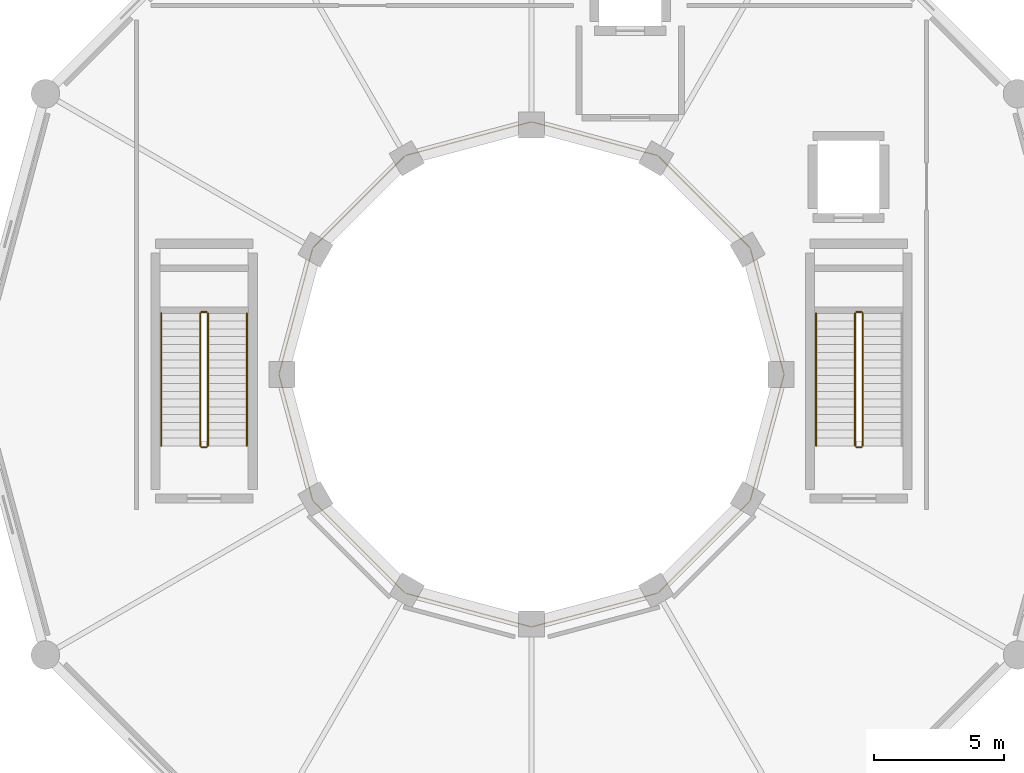
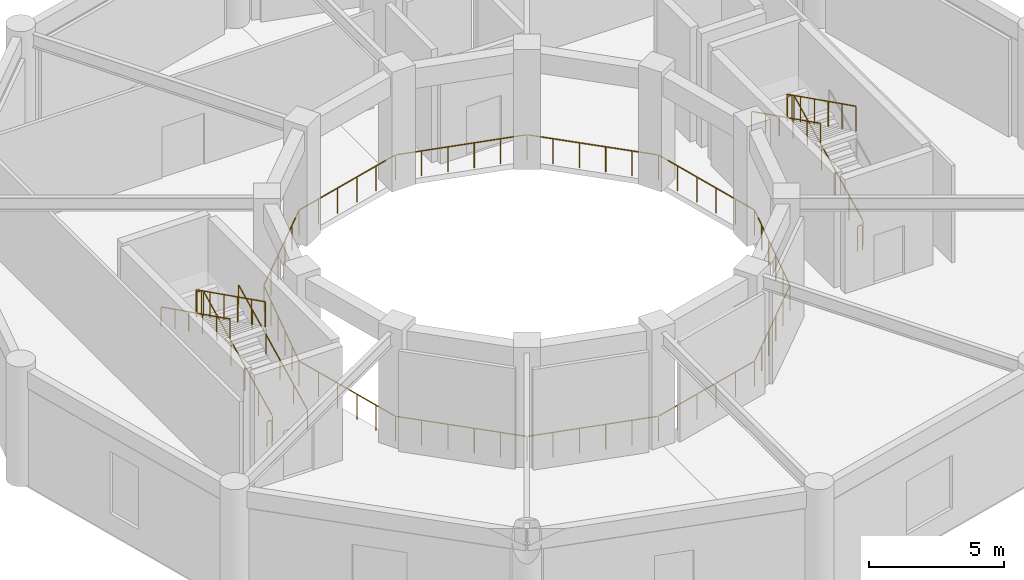
# One storey, part 82 of 86: 12 railings.
"""IFC4 building model written with IfcOpenShell, lengths in metres."""

from ifc_helpers import new_model, si_unit, direction, frame, origin, origin_2d, place, context, subcontext, project, spatial, circle, extrude, material, type_object, element, save


model = new_model("IFC4")

# Units and contexts
model_context = context("Model", 3, precision=1e-05, world=origin(), true_north=direction((0.0, 1.0)))
body_context = subcontext(model_context, "Body", "Model", "MODEL_VIEW")
ifc_project = project(units=[si_unit("LENGTHUNIT", "METRE"), si_unit("AREAUNIT", "SQUARE_METRE"), si_unit("VOLUMEUNIT", "CUBIC_METRE"), si_unit("PLANEANGLEUNIT", "RADIAN"), si_unit("MASSUNIT", "GRAM", prefix="KILO")], contexts=[model_context])

# Site, building, storey
site_placement = place(None, origin())
site = spatial("IfcSite", under=ifc_project, at=site_placement, CompositionType="ELEMENT")
building_placement = place(site_placement, origin())
building = spatial("IfcBuilding", under=site, at=building_placement, Name="Haizhuo Lancet Aquarium", CompositionType="ELEMENT")
storey_placement = place(building_placement, frame((0.0, 0.0, 16.199951171875)))
storey = spatial("IfcBuildingStorey", under=building, at=storey_placement, Name="L03", CompositionType="ELEMENT", Elevation=16.199951171875)

# Railings
ifc_material = material(Name="Steel S355", Category="steel")
railing_type_1 = type_object("IfcRailingType", Name="RL-GRD-1150", PredefinedType="GUARDRAIL", material=ifc_material)
railing_1_placement = place(storey_placement, frame((-12.449951171875, -2.75, 0.150146484375)))
element("IfcRailing", 1, at=railing_1_placement, inside=storey, type_object=railing_type_1, Name="L03 ST-01 stair guard 1", PredefinedType="GUARDRAIL", context=body_context, shape_type="SweptSolid", body=[
    extrude(circle(Radius=0.02392578125, at=origin_2d()), frame((0.0, 0.02685546875, 1.13916015625), z_axis=(0.0, 0.89444431709, 0.44717934168), x_axis=(-1.0, 0.0, 0.0)), (0.0, 0.0, 1.0), 5.64208984375),
    extrude(circle(Radius=0.02099609375, at=origin_2d()), origin(), (0.0, 0.0, 1.0), 1.097900390625),
    extrude(circle(Radius=0.02099609375, at=origin_2d()), frame((0.0, 1.02001953125, 0.510009765625)), (0.0, 0.0, 1.0), 1.097900390625),
    extrude(circle(Radius=0.02099609375, at=origin_2d()), frame((0.0, 2.0400390625, 1.02001953125)), (0.0, 0.0, 1.0), 1.097900390625),
    extrude(circle(Radius=0.02099609375, at=origin_2d()), frame((0.0, 3.06005859375, 1.52978515625)), (0.0, 0.0, 1.0), 1.097900390625),
    extrude(circle(Radius=0.02099609375, at=origin_2d()), frame((0.0, 4.080078125, 2.039794921875)), (0.0, 0.0, 1.0), 1.097900390625),
    extrude(circle(Radius=0.02099609375, at=origin_2d()), frame((0.0, 5.10009765625, 2.5498046875)), (0.0, 0.0, 1.0), 1.097900390625),
])
railing_2_placement = place(storey_placement, frame((-12.5, 2.39990234375, 2.699951171875)))
element("IfcRailing", 2, at=railing_2_placement, inside=storey, type_object=railing_type_1, Name="L03 ST-01 stair guard 2", PredefinedType="GUARDRAIL", context=body_context, shape_type="SweptSolid", body=[
    extrude(circle(Radius=0.02392578125, at=origin_2d()), frame((-0.030029296875, 0.0, 1.1259765625), z_axis=(-1.0, 0.0, 0.0), x_axis=(0.0, -1.0, 0.0)), (0.0, 0.0, 1.0), 0.139892578125),
    extrude(circle(Radius=0.02099609375, at=origin_2d()), origin(), (0.0, 0.0, 1.0), 1.097900390625),
    extrude(circle(Radius=0.02099609375, at=origin_2d()), frame((-0.199951171875, 0.0, 0.0)), (0.0, 0.0, 1.0), 1.097900390625),
])
railing_3_placement = place(storey_placement, frame((-12.75, 2.35009765625, 2.85009765625)))
element("IfcRailing", 3, at=railing_3_placement, inside=storey, type_object=railing_type_1, Name="L03 ST-01 stair guard 3", PredefinedType="GUARDRAIL", context=body_context, shape_type="SweptSolid", body=[
    extrude(circle(Radius=0.02392578125, at=origin_2d()), frame((0.0, -0.02685546875, 1.13916015625), z_axis=(0.0, -0.894427191, 0.4472135955), x_axis=(1.0, 0.0, 0.0)), (0.0, 0.0, 1.0), 5.64208984375),
    extrude(circle(Radius=0.02099609375, at=origin_2d()), origin(), (0.0, 0.0, 1.0), 1.097900390625),
    extrude(circle(Radius=0.02099609375, at=origin_2d()), frame((0.0, -1.02001953125, 0.510009765625)), (0.0, 0.0, 1.0), 1.097900390625),
    extrude(circle(Radius=0.02099609375, at=origin_2d()), frame((0.0, -2.0400390625, 1.02001953125)), (0.0, 0.0, 1.0), 1.097900390625),
    extrude(circle(Radius=0.02099609375, at=origin_2d()), frame((0.0, -3.06005859375, 1.530029296875)), (0.0, 0.0, 1.0), 1.097900390625),
    extrude(circle(Radius=0.02099609375, at=origin_2d()), frame((0.0, -4.080078125, 2.0400390625)), (0.0, 0.0, 1.0), 1.097900390625),
    extrude(circle(Radius=0.02099609375, at=origin_2d()), frame((0.0, -5.10009765625, 2.550048828125)), (0.0, 0.0, 1.0), 1.097900390625),
])
railing_4_placement = place(storey_placement, frame((-12.5, -2.800048828125, 0.0)))
element("IfcRailing", 4, at=railing_4_placement, inside=storey, type_object=railing_type_1, Name="L03 ST-01 stair guard 4", PredefinedType="GUARDRAIL", context=body_context, shape_type="SweptSolid", body=[
    extrude(circle(Radius=0.02392578125, at=origin_2d()), frame((-0.030029296875, 0.0, 1.1259765625), z_axis=(-1.0, 0.0, 0.0), x_axis=(0.0, -1.0, 0.0)), (0.0, 0.0, 1.0), 0.139892578125),
    extrude(circle(Radius=0.02099609375, at=origin_2d()), origin(), (0.0, 0.0, 1.0), 1.097900390625),
    extrude(circle(Radius=0.02099609375, at=origin_2d()), frame((-0.199951171875, 0.0, 0.0)), (0.0, 0.0, 1.0), 1.097900390625),
])
railing_5_placement = place(storey_placement, frame((12.75, -2.75, 0.150146484375)))
element("IfcRailing", 5, at=railing_5_placement, inside=storey, type_object=railing_type_1, Name="L03 ST-02 stair guard 1", PredefinedType="GUARDRAIL", context=body_context, shape_type="SweptSolid", body=[
    extrude(circle(Radius=0.02392578125, at=origin_2d()), frame((0.0, 0.02685546875, 1.13916015625), z_axis=(0.0, 0.89444431709, 0.44717934168), x_axis=(-1.0, 0.0, 0.0)), (0.0, 0.0, 1.0), 5.64208984375),
    extrude(circle(Radius=0.02099609375, at=origin_2d()), origin(), (0.0, 0.0, 1.0), 1.097900390625),
    extrude(circle(Radius=0.02099609375, at=origin_2d()), frame((0.0, 1.02001953125, 0.510009765625)), (0.0, 0.0, 1.0), 1.097900390625),
    extrude(circle(Radius=0.02099609375, at=origin_2d()), frame((0.0, 2.0400390625, 1.02001953125)), (0.0, 0.0, 1.0), 1.097900390625),
    extrude(circle(Radius=0.02099609375, at=origin_2d()), frame((0.0, 3.06005859375, 1.52978515625)), (0.0, 0.0, 1.0), 1.097900390625),
    extrude(circle(Radius=0.02099609375, at=origin_2d()), frame((0.0, 4.080078125, 2.039794921875)), (0.0, 0.0, 1.0), 1.097900390625),
    extrude(circle(Radius=0.02099609375, at=origin_2d()), frame((0.0, 5.10009765625, 2.5498046875)), (0.0, 0.0, 1.0), 1.097900390625),
])
railing_6_placement = place(storey_placement, frame((12.699951171875, 2.39990234375, 2.699951171875)))
element("IfcRailing", 6, at=railing_6_placement, inside=storey, type_object=railing_type_1, Name="L03 ST-02 stair guard 2", PredefinedType="GUARDRAIL", context=body_context, shape_type="SweptSolid", body=[
    extrude(circle(Radius=0.02392578125, at=origin_2d()), frame((-0.030029296875, 0.0, 1.1259765625), z_axis=(-1.0, 0.0, 0.0), x_axis=(0.0, -1.0, 0.0)), (0.0, 0.0, 1.0), 0.139892578125),
    extrude(circle(Radius=0.02099609375, at=origin_2d()), origin(), (0.0, 0.0, 1.0), 1.097900390625),
    extrude(circle(Radius=0.02099609375, at=origin_2d()), frame((-0.199951171875, 0.0, 0.0)), (0.0, 0.0, 1.0), 1.097900390625),
])
railing_7_placement = place(storey_placement, frame((12.449951171875, 2.35009765625, 2.85009765625)))
element("IfcRailing", 7, at=railing_7_placement, inside=storey, type_object=railing_type_1, Name="L03 ST-02 stair guard 3", PredefinedType="GUARDRAIL", context=body_context, shape_type="SweptSolid", body=[
    extrude(circle(Radius=0.02392578125, at=origin_2d()), frame((0.0, -0.02685546875, 1.13916015625), z_axis=(0.0, -0.894427191, 0.4472135955), x_axis=(1.0, 0.0, 0.0)), (0.0, 0.0, 1.0), 5.64208984375),
    extrude(circle(Radius=0.02099609375, at=origin_2d()), origin(), (0.0, 0.0, 1.0), 1.097900390625),
    extrude(circle(Radius=0.02099609375, at=origin_2d()), frame((0.0, -1.02001953125, 0.510009765625)), (0.0, 0.0, 1.0), 1.097900390625),
    extrude(circle(Radius=0.02099609375, at=origin_2d()), frame((0.0, -2.0400390625, 1.02001953125)), (0.0, 0.0, 1.0), 1.097900390625),
    extrude(circle(Radius=0.02099609375, at=origin_2d()), frame((0.0, -3.06005859375, 1.530029296875)), (0.0, 0.0, 1.0), 1.097900390625),
    extrude(circle(Radius=0.02099609375, at=origin_2d()), frame((0.0, -4.080078125, 2.0400390625)), (0.0, 0.0, 1.0), 1.097900390625),
    extrude(circle(Radius=0.02099609375, at=origin_2d()), frame((0.0, -5.10009765625, 2.550048828125)), (0.0, 0.0, 1.0), 1.097900390625),
])
railing_8_placement = place(storey_placement, frame((12.699951171875, -2.800048828125, 0.0)))
element("IfcRailing", 8, at=railing_8_placement, inside=storey, type_object=railing_type_1, Name="L03 ST-02 stair guard 4", PredefinedType="GUARDRAIL", context=body_context, shape_type="SweptSolid", body=[
    extrude(circle(Radius=0.02392578125, at=origin_2d()), frame((-0.030029296875, 0.0, 1.1259765625), z_axis=(-1.0, 0.0, 0.0), x_axis=(0.0, -1.0, 0.0)), (0.0, 0.0, 1.0), 0.139892578125),
    extrude(circle(Radius=0.02099609375, at=origin_2d()), origin(), (0.0, 0.0, 1.0), 1.097900390625),
    extrude(circle(Radius=0.02099609375, at=origin_2d()), frame((-0.199951171875, 0.0, 0.0)), (0.0, 0.0, 1.0), 1.097900390625),
])
railing_9_placement = place(storey_placement, frame((9.719970703125, 0.0, 0.0)))
element("IfcRailing", 9, at=railing_9_placement, inside=storey, type_object=railing_type_1, Name="L03 Ocean Tank overlook guardrail", PredefinedType="GUARDRAIL", context=body_context, shape_type="SweptSolid", body=[
    extrude(circle(Radius=0.02392578125, at=origin_2d()), frame((-0.0078125, 0.029052734375, 1.1259765625), z_axis=(-0.258770849216, 0.965938739049, 0.0), x_axis=(-0.965938739049, -0.258770849216, 0.0)), (0.0, 0.0, 1.0), 4.971435546875),
    extrude(circle(Radius=0.02392578125, at=origin_2d()), frame((-1.3232421875, 4.88134765625, 1.1259765625), z_axis=(-0.707106781187, 0.707106781187, 0.0), x_axis=(-0.707106781187, -0.707106781187, 0.0)), (0.0, 0.0, 1.0), 4.9716796875),
    extrude(circle(Radius=0.02392578125, at=origin_2d()), frame((-4.888916015625, 8.42578125, 1.1259765625), z_axis=(-0.965938739049, 0.258770849216, 0.0), x_axis=(-0.258770849216, -0.965938739049, 0.0)), (0.0, 0.0, 1.0), 4.971435546875),
    extrude(circle(Radius=0.02392578125, at=origin_2d()), frame((-9.7490234375, 9.712158203125, 1.1259765625), z_axis=(-0.965938739049, -0.258770849216, 0.0), x_axis=(0.258770849216, -0.965938739049, 0.0)), (0.0, 0.0, 1.0), 4.971435546875),
    extrude(circle(Radius=0.02392578125, at=origin_2d()), frame((-14.601318359375, 8.396728515625, 1.1259765625), z_axis=(-0.707106781187, -0.707106781187, 0.0), x_axis=(0.707106781187, -0.707106781187, 0.0)), (0.0, 0.0, 1.0), 4.9716796875),
    extrude(circle(Radius=0.02392578125, at=origin_2d()), frame((-18.145751953125, 4.8310546875, 1.1259765625), z_axis=(-0.258770849216, -0.965938739049, 0.0), x_axis=(0.965938739049, -0.258770849216, 0.0)), (0.0, 0.0, 1.0), 4.971435546875),
    extrude(circle(Radius=0.02392578125, at=origin_2d()), frame((-19.43212890625, -0.029052734375, 1.1259765625), z_axis=(0.258770849216, -0.965938739049, 0.0), x_axis=(0.965938739049, 0.258770849216, 0.0)), (0.0, 0.0, 1.0), 4.971435546875),
    extrude(circle(Radius=0.02392578125, at=origin_2d()), frame((-18.11669921875, -4.88134765625, 1.1259765625), z_axis=(0.707106781187, -0.707106781187, 0.0), x_axis=(0.707106781187, 0.707106781187, 0.0)), (0.0, 0.0, 1.0), 4.9716796875),
    extrude(circle(Radius=0.02392578125, at=origin_2d()), frame((-14.551025390625, -8.42578125, 1.1259765625), z_axis=(0.965938739049, -0.258770849216, 0.0), x_axis=(0.258770849216, 0.965938739049, 0.0)), (0.0, 0.0, 1.0), 4.971435546875),
    extrude(circle(Radius=0.02392578125, at=origin_2d()), frame((-9.69091796875, -9.712158203125, 1.1259765625), z_axis=(0.965938739049, 0.258770849216, 0.0), x_axis=(-0.258770849216, 0.965938739049, 0.0)), (0.0, 0.0, 1.0), 4.971435546875),
    extrude(circle(Radius=0.02392578125, at=origin_2d()), frame((-4.838623046875, -8.396728515625, 1.1259765625), z_axis=(0.707106781187, 0.707106781187, 0.0), x_axis=(-0.707106781187, 0.707106781187, 0.0)), (0.0, 0.0, 1.0), 4.9716796875),
    extrude(circle(Radius=0.02392578125, at=origin_2d()), frame((-1.294189453125, -4.8310546875, 1.1259765625), z_axis=(0.258770849216, 0.965938739049, 0.0), x_axis=(-0.965938739049, 0.258770849216, 0.0)), (0.0, 0.0, 1.0), 4.971435546875),
    extrude(circle(Radius=0.02099609375, at=origin_2d()), origin(), (0.0, 0.0, 1.0), 1.097900390625),
    extrude(circle(Radius=0.02099609375, at=origin_2d()), frame((-0.260498046875, 0.971923828125, 0.0)), (0.0, 0.0, 1.0), 1.097900390625),
    extrude(circle(Radius=0.02099609375, at=origin_2d()), frame((-0.520751953125, 1.944091796875, 0.0)), (0.0, 0.0, 1.0), 1.097900390625),
    extrude(circle(Radius=0.02099609375, at=origin_2d()), frame((-0.78125, 2.916015625, 0.0)), (0.0, 0.0, 1.0), 1.097900390625),
    extrude(circle(Radius=0.02099609375, at=origin_2d()), frame((-1.04150390625, 3.88818359375, 0.0)), (0.0, 0.0, 1.0), 1.097900390625),
    extrude(circle(Radius=0.02099609375, at=origin_2d()), frame((-1.302001953125, 4.860107421875, 0.0)), (0.0, 0.0, 1.0), 1.097900390625),
    extrude(circle(Radius=0.02099609375, at=origin_2d()), frame((-2.013671875, 5.57177734375, 0.0)), (0.0, 0.0, 1.0), 1.097900390625),
    extrude(circle(Radius=0.02099609375, at=origin_2d()), frame((-2.72509765625, 6.283203125, 0.0)), (0.0, 0.0, 1.0), 1.097900390625),
    extrude(circle(Radius=0.02099609375, at=origin_2d()), frame((-3.436767578125, 6.994873046875, 0.0)), (0.0, 0.0, 1.0), 1.097900390625),
    extrude(circle(Radius=0.02099609375, at=origin_2d()), frame((-4.148193359375, 7.706298828125, 0.0)), (0.0, 0.0, 1.0), 1.097900390625),
    extrude(circle(Radius=0.02099609375, at=origin_2d()), frame((-4.85986328125, 8.41796875, 0.0)), (0.0, 0.0, 1.0), 1.097900390625),
    extrude(circle(Radius=0.02099609375, at=origin_2d()), frame((-5.831787109375, 8.678466796875, 0.0)), (0.0, 0.0, 1.0), 1.097900390625),
    extrude(circle(Radius=0.02099609375, at=origin_2d()), frame((-6.803955078125, 8.938720703125, 0.0)), (0.0, 0.0, 1.0), 1.097900390625),
    extrude(circle(Radius=0.02099609375, at=origin_2d()), frame((-7.77587890625, 9.19921875, 0.0)), (0.0, 0.0, 1.0), 1.097900390625),
    extrude(circle(Radius=0.02099609375, at=origin_2d()), frame((-8.748046875, 9.45947265625, 0.0)), (0.0, 0.0, 1.0), 1.097900390625),
    extrude(circle(Radius=0.02099609375, at=origin_2d()), frame((-9.719970703125, 9.719970703125, 0.0)), (0.0, 0.0, 1.0), 1.097900390625),
    extrude(circle(Radius=0.02099609375, at=origin_2d()), frame((-10.69189453125, 9.45947265625, 0.0)), (0.0, 0.0, 1.0), 1.097900390625),
    extrude(circle(Radius=0.02099609375, at=origin_2d()), frame((-11.6640625, 9.19921875, 0.0)), (0.0, 0.0, 1.0), 1.097900390625),
    extrude(circle(Radius=0.02099609375, at=origin_2d()), frame((-12.635986328125, 8.938720703125, 0.0)), (0.0, 0.0, 1.0), 1.097900390625),
    extrude(circle(Radius=0.02099609375, at=origin_2d()), frame((-13.608154296875, 8.678466796875, 0.0)), (0.0, 0.0, 1.0), 1.097900390625),
    extrude(circle(Radius=0.02099609375, at=origin_2d()), frame((-14.580078125, 8.41796875, 0.0)), (0.0, 0.0, 1.0), 1.097900390625),
    extrude(circle(Radius=0.02099609375, at=origin_2d()), frame((-15.291748046875, 7.706298828125, 0.0)), (0.0, 0.0, 1.0), 1.097900390625),
    extrude(circle(Radius=0.02099609375, at=origin_2d()), frame((-16.003173828125, 6.994873046875, 0.0)), (0.0, 0.0, 1.0), 1.097900390625),
    extrude(circle(Radius=0.02099609375, at=origin_2d()), frame((-16.71484375, 6.283203125, 0.0)), (0.0, 0.0, 1.0), 1.097900390625),
    extrude(circle(Radius=0.02099609375, at=origin_2d()), frame((-17.42626953125, 5.57177734375, 0.0)), (0.0, 0.0, 1.0), 1.097900390625),
    extrude(circle(Radius=0.02099609375, at=origin_2d()), frame((-18.137939453125, 4.860107421875, 0.0)), (0.0, 0.0, 1.0), 1.097900390625),
    extrude(circle(Radius=0.02099609375, at=origin_2d()), frame((-18.3984375, 3.88818359375, 0.0)), (0.0, 0.0, 1.0), 1.097900390625),
    extrude(circle(Radius=0.02099609375, at=origin_2d()), frame((-18.65869140625, 2.916015625, 0.0)), (0.0, 0.0, 1.0), 1.097900390625),
    extrude(circle(Radius=0.02099609375, at=origin_2d()), frame((-18.919189453125, 1.944091796875, 0.0)), (0.0, 0.0, 1.0), 1.097900390625),
    extrude(circle(Radius=0.02099609375, at=origin_2d()), frame((-19.179443359375, 0.971923828125, 0.0)), (0.0, 0.0, 1.0), 1.097900390625),
    extrude(circle(Radius=0.02099609375, at=origin_2d()), frame((-19.43994140625, 0.0, 0.0)), (0.0, 0.0, 1.0), 1.097900390625),
    extrude(circle(Radius=0.02099609375, at=origin_2d()), frame((-19.179443359375, -0.971923828125, 0.0)), (0.0, 0.0, 1.0), 1.097900390625),
    extrude(circle(Radius=0.02099609375, at=origin_2d()), frame((-18.919189453125, -1.944091796875, 0.0)), (0.0, 0.0, 1.0), 1.097900390625),
    extrude(circle(Radius=0.02099609375, at=origin_2d()), frame((-18.65869140625, -2.916015625, 0.0)), (0.0, 0.0, 1.0), 1.097900390625),
    extrude(circle(Radius=0.02099609375, at=origin_2d()), frame((-18.3984375, -3.88818359375, 0.0)), (0.0, 0.0, 1.0), 1.097900390625),
    extrude(circle(Radius=0.02099609375, at=origin_2d()), frame((-18.137939453125, -4.860107421875, 0.0)), (0.0, 0.0, 1.0), 1.097900390625),
    extrude(circle(Radius=0.02099609375, at=origin_2d()), frame((-17.42626953125, -5.57177734375, 0.0)), (0.0, 0.0, 1.0), 1.097900390625),
    extrude(circle(Radius=0.02099609375, at=origin_2d()), frame((-16.71484375, -6.283203125, 0.0)), (0.0, 0.0, 1.0), 1.097900390625),
    extrude(circle(Radius=0.02099609375, at=origin_2d()), frame((-16.003173828125, -6.994873046875, 0.0)), (0.0, 0.0, 1.0), 1.097900390625),
    extrude(circle(Radius=0.02099609375, at=origin_2d()), frame((-15.291748046875, -7.706298828125, 0.0)), (0.0, 0.0, 1.0), 1.097900390625),
    extrude(circle(Radius=0.02099609375, at=origin_2d()), frame((-14.580078125, -8.41796875, 0.0)), (0.0, 0.0, 1.0), 1.097900390625),
    extrude(circle(Radius=0.02099609375, at=origin_2d()), frame((-13.608154296875, -8.678466796875, 0.0)), (0.0, 0.0, 1.0), 1.097900390625),
    extrude(circle(Radius=0.02099609375, at=origin_2d()), frame((-12.635986328125, -8.938720703125, 0.0)), (0.0, 0.0, 1.0), 1.097900390625),
    extrude(circle(Radius=0.02099609375, at=origin_2d()), frame((-11.6640625, -9.19921875, 0.0)), (0.0, 0.0, 1.0), 1.097900390625),
    extrude(circle(Radius=0.02099609375, at=origin_2d()), frame((-10.69189453125, -9.45947265625, 0.0)), (0.0, 0.0, 1.0), 1.097900390625),
    extrude(circle(Radius=0.02099609375, at=origin_2d()), frame((-9.719970703125, -9.719970703125, 0.0)), (0.0, 0.0, 1.0), 1.097900390625),
    extrude(circle(Radius=0.02099609375, at=origin_2d()), frame((-8.748046875, -9.45947265625, 0.0)), (0.0, 0.0, 1.0), 1.097900390625),
    extrude(circle(Radius=0.02099609375, at=origin_2d()), frame((-7.77587890625, -9.19921875, 0.0)), (0.0, 0.0, 1.0), 1.097900390625),
    extrude(circle(Radius=0.02099609375, at=origin_2d()), frame((-6.803955078125, -8.938720703125, 0.0)), (0.0, 0.0, 1.0), 1.097900390625),
    extrude(circle(Radius=0.02099609375, at=origin_2d()), frame((-5.831787109375, -8.678466796875, 0.0)), (0.0, 0.0, 1.0), 1.097900390625),
    extrude(circle(Radius=0.02099609375, at=origin_2d()), frame((-4.85986328125, -8.41796875, 0.0)), (0.0, 0.0, 1.0), 1.097900390625),
    extrude(circle(Radius=0.02099609375, at=origin_2d()), frame((-4.148193359375, -7.706298828125, 0.0)), (0.0, 0.0, 1.0), 1.097900390625),
    extrude(circle(Radius=0.02099609375, at=origin_2d()), frame((-3.436767578125, -6.994873046875, 0.0)), (0.0, 0.0, 1.0), 1.097900390625),
    extrude(circle(Radius=0.02099609375, at=origin_2d()), frame((-2.72509765625, -6.283203125, 0.0)), (0.0, 0.0, 1.0), 1.097900390625),
    extrude(circle(Radius=0.02099609375, at=origin_2d()), frame((-2.013671875, -5.57177734375, 0.0)), (0.0, 0.0, 1.0), 1.097900390625),
    extrude(circle(Radius=0.02099609375, at=origin_2d()), frame((-1.302001953125, -4.860107421875, 0.0)), (0.0, 0.0, 1.0), 1.097900390625),
    extrude(circle(Radius=0.02099609375, at=origin_2d()), frame((-1.04150390625, -3.88818359375, 0.0)), (0.0, 0.0, 1.0), 1.097900390625),
    extrude(circle(Radius=0.02099609375, at=origin_2d()), frame((-0.78125, -2.916015625, 0.0)), (0.0, 0.0, 1.0), 1.097900390625),
    extrude(circle(Radius=0.02099609375, at=origin_2d()), frame((-0.520751953125, -1.944091796875, 0.0)), (0.0, 0.0, 1.0), 1.097900390625),
    extrude(circle(Radius=0.02099609375, at=origin_2d()), frame((-0.260498046875, -0.971923828125, 0.0)), (0.0, 0.0, 1.0), 1.097900390625),
])
railing_type_2 = type_object("IfcRailingType", Name="RL-HDR-900", PredefinedType="HANDRAIL", material=ifc_material)
railing_10_placement = place(storey_placement, frame((-10.949951171875, -2.75, 0.150146484375)))
element("IfcRailing", 10, at=railing_10_placement, inside=storey, type_object=railing_type_2, Name="L03 ST-01 pitch handrail 1", PredefinedType="HANDRAIL", context=body_context, shape_type="SweptSolid", body=[
    extrude(circle(Radius=0.02392578125, at=origin_2d()), frame((0.0, 0.02685546875, 0.88916015625), z_axis=(0.0, 0.89444431709, 0.44717934168), x_axis=(-1.0, 0.0, 0.0)), (0.0, 0.0, 1.0), 5.64208984375),
    extrude(circle(Radius=0.02099609375, at=origin_2d()), origin(), (0.0, 0.0, 1.0), 0.847900390625),
    extrude(circle(Radius=0.02099609375, at=origin_2d()), frame((0.0, 1.02001953125, 0.510009765625)), (0.0, 0.0, 1.0), 0.847900390625),
    extrude(circle(Radius=0.02099609375, at=origin_2d()), frame((0.0, 2.0400390625, 1.02001953125)), (0.0, 0.0, 1.0), 0.847900390625),
    extrude(circle(Radius=0.02099609375, at=origin_2d()), frame((0.0, 3.06005859375, 1.52978515625)), (0.0, 0.0, 1.0), 0.847900390625),
    extrude(circle(Radius=0.02099609375, at=origin_2d()), frame((0.0, 4.080078125, 2.039794921875)), (0.0, 0.0, 1.0), 0.847900390625),
    extrude(circle(Radius=0.02099609375, at=origin_2d()), frame((0.0, 5.10009765625, 2.5498046875)), (0.0, 0.0, 1.0), 0.847900390625),
])
for number, where, name in (
    (11, (-14.25, 2.35009765625, 2.85009765625), "L03 ST-01 pitch handrail 2"),
    (12, (10.949951171875, 2.35009765625, 2.85009765625), "L03 ST-02 pitch handrail 2"),
):
    element("IfcRailing", number, at=place(storey_placement, frame(where)), inside=storey, type_object=railing_type_2, Name=name, PredefinedType="HANDRAIL", context=body_context, shape_type="SweptSolid", body=[
        extrude(circle(Radius=0.02392578125, at=origin_2d()), frame((0.0, -0.02685546875, 0.88916015625), z_axis=(0.0, -0.894427191, 0.4472135955), x_axis=(1.0, 0.0, 0.0)), (0.0, 0.0, 1.0), 5.64208984375),
        extrude(circle(Radius=0.02099609375, at=origin_2d()), origin(), (0.0, 0.0, 1.0), 0.847900390625),
        extrude(circle(Radius=0.02099609375, at=origin_2d()), frame((0.0, -1.02001953125, 0.510009765625)), (0.0, 0.0, 1.0), 0.847900390625),
        extrude(circle(Radius=0.02099609375, at=origin_2d()), frame((0.0, -2.0400390625, 1.02001953125)), (0.0, 0.0, 1.0), 0.847900390625),
        extrude(circle(Radius=0.02099609375, at=origin_2d()), frame((0.0, -3.06005859375, 1.530029296875)), (0.0, 0.0, 1.0), 0.847900390625),
        extrude(circle(Radius=0.02099609375, at=origin_2d()), frame((0.0, -4.080078125, 2.0400390625)), (0.0, 0.0, 1.0), 0.847900390625),
        extrude(circle(Radius=0.02099609375, at=origin_2d()), frame((0.0, -5.10009765625, 2.550048828125)), (0.0, 0.0, 1.0), 0.847900390625),
    ])

save(model, "model.ifc")
